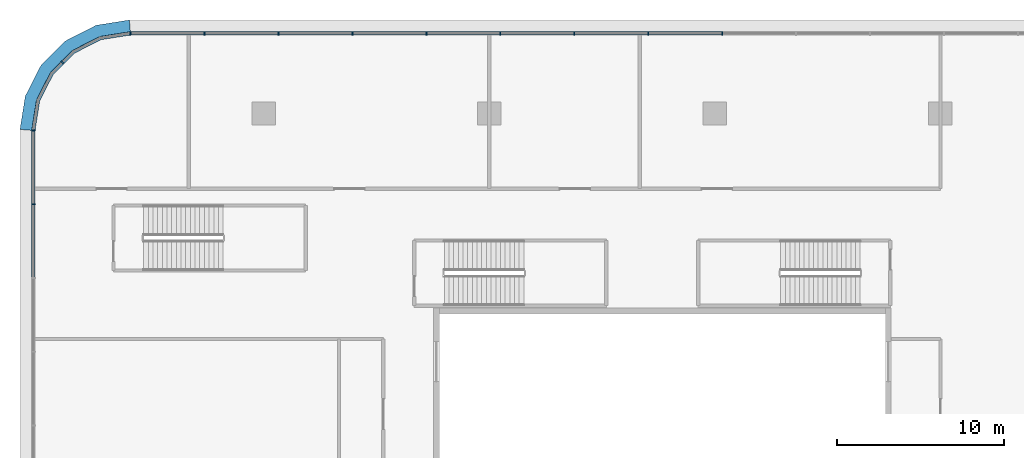
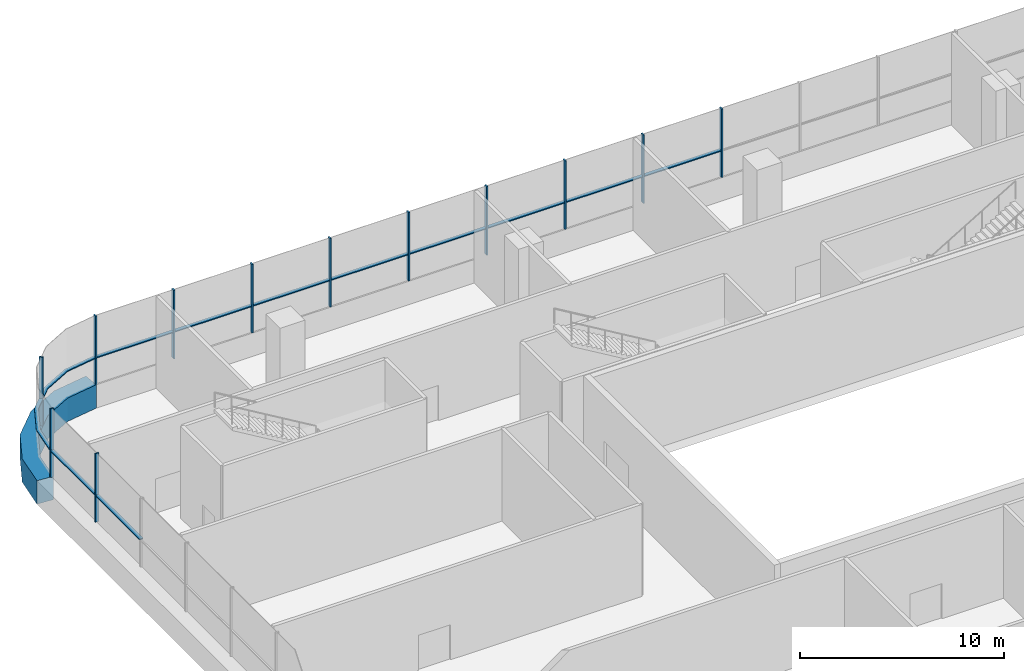
# One storey, part 13 of 52: 25 members, 3 elements without a shape of their own.
"""IFC4 building model written with IfcOpenShell, lengths in metres."""

from ifc_helpers import new_model, si_unit, direction, frame, origin, origin_2d, place, context, subcontext, project, spatial, polyline, rectangle, outline, extrude, material, layer, layer_set, material_profile, profile_set, type_object, element, aggregate, save


model = new_model("IFC4")

# Units and contexts
model_context = context("Model", 3, precision=1e-05, world=origin(), true_north=direction((0.0, 1.0)))
body_context = subcontext(model_context, "Body", "Model", "MODEL_VIEW")
ifc_project = project(units=[si_unit("LENGTHUNIT", "METRE"), si_unit("AREAUNIT", "SQUARE_METRE"), si_unit("VOLUMEUNIT", "CUBIC_METRE"), si_unit("PLANEANGLEUNIT", "RADIAN"), si_unit("MASSUNIT", "GRAM", prefix="KILO")], contexts=[model_context])

# Site, building, storey
site_placement = place(None, origin())
site = spatial("IfcSite", under=ifc_project, at=site_placement, CompositionType="ELEMENT")
building_placement = place(site_placement, origin())
building = spatial("IfcBuilding", under=site, at=building_placement, Name="Tamarind Cross Interchange Tower", CompositionType="ELEMENT")
storey_placement = place(building_placement, frame((0.0, 0.0, 9.0)))
storey = spatial("IfcBuildingStorey", under=building, at=storey_placement, Name="L01", CompositionType="ELEMENT", Elevation=9.0)

# Curtain wall, member
ifc_material_1 = material(Name="Aluminium 6063-T6", Category="aluminium")
ifc_layer = layer(ifc_material_1, 0.199951171875)
ifc_layer_set = layer_set([ifc_layer], Name="Aluminium 6063-T6")
curtain_wall_type = type_object("IfcCurtainWallType", Name="Podium shopfront and station curtain wall", PredefinedType="NOTDEFINED", material=ifc_layer_set)
curtain_wall_1_placement = place(storey_placement, origin())
curtain_wall_1 = element("IfcCurtainWall", 1, at=curtain_wall_1_placement, inside=storey, type_object=curtain_wall_type, Name="CWS-L01-03", PredefinedType="NOTDEFINED")
ifc_material_2 = material(Name="Aluminium and insulated spandrel panel", Category="aluminium")
member_type_1 = type_object("IfcMemberType", Name="Floor-edge blade transom", PredefinedType="USERDEFINED", material=ifc_material_2)
member_1_placement = place(storey_placement, origin())
member_1 = element("IfcMember", 2, at=member_1_placement, type_object=member_type_1, Name="CWT-L01-03", ObjectType="TRANSOM", PredefinedType="USERDEFINED", context=body_context, shape_type="SweptSolid", body=[
    extrude(outline(polyline([(-61.976318359375, 58.699951171875), (-63.76025390625, 58.41748046875), (-65.34814453125, 57.6083984375), (-66.6083984375, 56.34814453125), (-67.41748046875, 54.76025390625), (-67.699951171875, 52.976318359375), (-68.60009765625, 53.047119140625), (-68.2841796875, 55.041748046875), (-67.345458984375, 56.8837890625), (-65.8837890625, 58.345458984375), (-64.041748046875, 59.2841796875), (-62.047119140625, 59.60009765625), (-61.976318359375, 58.699951171875)])), origin(), (0.0, 0.0, 1.0), 1.39990234375),
])

# Curtain wall, members
curtain_wall_2_placement = place(storey_placement, origin())
curtain_wall_2 = element("IfcCurtainWall", 3, at=curtain_wall_2_placement, inside=storey, type_object=curtain_wall_type, Name="CWS-L01-02", PredefinedType="NOTDEFINED")
ifc_material_profile = material_profile(ifc_material_1, rectangle(XDim=0.080078125, YDim=0.199951171875, at=origin_2d()), Name="Mullion CW3")
ifc_profile_set = profile_set([ifc_material_profile], Name="Aluminium 6063-T6")
member_type_2 = type_object("IfcMemberType", Name="Mullion CW3", PredefinedType="MULLION", material=ifc_profile_set)
member_2_placement = place(storey_placement, frame((-26.564697265625, 58.800048828125, 1.39990234375), z_axis=(0.0, 0.0, 1.0), x_axis=(-1.0, 0.0, 0.0)))
member_2 = element("IfcMember", 4, at=member_2_placement, type_object=member_type_2, Name="CWM-L01-02-20", PredefinedType="MULLION", context=body_context, shape_type="SweptSolid", body=[
    extrude(rectangle(XDim=0.080078125, YDim=0.199951171875, at=origin_2d()), origin(), (0.0, 0.0, 1.0), 4.10009765625),
])
member_3_placement = place(storey_placement, frame((-30.9921875, 58.800048828125, 1.39990234375), z_axis=(0.0, 0.0, 1.0), x_axis=(-1.0, 0.0, 0.0)))
member_3 = element("IfcMember", 5, at=member_3_placement, type_object=member_type_2, Name="CWM-L01-02-21", PredefinedType="MULLION", context=body_context, shape_type="SweptSolid", body=[
    extrude(rectangle(XDim=0.080078125, YDim=0.199951171875, at=origin_2d()), origin(), (0.0, 0.0, 1.0), 4.10009765625),
])
member_4_placement = place(storey_placement, frame((-35.419677734375, 58.800048828125, 1.39990234375), z_axis=(0.0, 0.0, 1.0), x_axis=(-1.0, 0.0, 0.0)))
member_4 = element("IfcMember", 6, at=member_4_placement, type_object=member_type_2, Name="CWM-L01-02-22", PredefinedType="MULLION", context=body_context, shape_type="SweptSolid", body=[
    extrude(rectangle(XDim=0.080078125, YDim=0.199951171875, at=origin_2d()), origin(), (0.0, 0.0, 1.0), 4.10009765625),
])
member_5_placement = place(storey_placement, frame((-39.846923828125, 58.800048828125, 1.39990234375), z_axis=(0.0, 0.0, 1.0), x_axis=(-1.0, 0.0, 0.0)))
member_5 = element("IfcMember", 7, at=member_5_placement, type_object=member_type_2, Name="CWM-L01-02-23", PredefinedType="MULLION", context=body_context, shape_type="SweptSolid", body=[
    extrude(rectangle(XDim=0.080078125, YDim=0.199951171875, at=origin_2d()), origin(), (0.0, 0.0, 1.0), 4.10009765625),
])
member_6_placement = place(storey_placement, frame((-44.2744140625, 58.800048828125, 1.39990234375), z_axis=(0.0, 0.0, 1.0), x_axis=(-1.0, 0.0, 0.0)))
member_6 = element("IfcMember", 8, at=member_6_placement, type_object=member_type_2, Name="CWM-L01-02-24", PredefinedType="MULLION", context=body_context, shape_type="SweptSolid", body=[
    extrude(rectangle(XDim=0.080078125, YDim=0.199951171875, at=origin_2d()), origin(), (0.0, 0.0, 1.0), 4.10009765625),
])
member_7_placement = place(storey_placement, frame((-48.701904296875, 58.800048828125, 1.39990234375), z_axis=(0.0, 0.0, 1.0), x_axis=(-1.0, 0.0, 0.0)))
member_7 = element("IfcMember", 9, at=member_7_placement, type_object=member_type_2, Name="CWM-L01-02-25", PredefinedType="MULLION", context=body_context, shape_type="SweptSolid", body=[
    extrude(rectangle(XDim=0.080078125, YDim=0.199951171875, at=origin_2d()), origin(), (0.0, 0.0, 1.0), 4.10009765625),
])
member_8_placement = place(storey_placement, frame((-53.12939453125, 58.800048828125, 1.39990234375), z_axis=(0.0, 0.0, 1.0), x_axis=(-1.0, 0.0, 0.0)))
member_8 = element("IfcMember", 10, at=member_8_placement, type_object=member_type_2, Name="CWM-L01-02-26", PredefinedType="MULLION", context=body_context, shape_type="SweptSolid", body=[
    extrude(rectangle(XDim=0.080078125, YDim=0.199951171875, at=origin_2d()), origin(), (0.0, 0.0, 1.0), 4.10009765625),
])
member_9_placement = place(storey_placement, frame((-57.556884765625, 58.800048828125, 1.39990234375), z_axis=(0.0, 0.0, 1.0), x_axis=(-1.0, 0.0, 0.0)))
member_9 = element("IfcMember", 11, at=member_9_placement, type_object=member_type_2, Name="CWM-L01-02-27", PredefinedType="MULLION", context=body_context, shape_type="SweptSolid", body=[
    extrude(rectangle(XDim=0.080078125, YDim=0.199951171875, at=origin_2d()), origin(), (0.0, 0.0, 1.0), 4.10009765625),
])

# Member
member_10_placement = place(storey_placement, frame((-61.984375, 58.800048828125, 1.39990234375), z_axis=(0.0, 0.0, 1.0), x_axis=(-0.996917333733, -0.078459095728, 0.0)))
member_10 = element("IfcMember", 12, at=member_10_placement, type_object=member_type_2, Name="CWM-L01-03-00", PredefinedType="MULLION", context=body_context, shape_type="SweptSolid", body=[
    extrude(rectangle(XDim=0.080078125, YDim=0.199951171875, at=origin_2d()), origin(), (0.0, 0.0, 1.0), 4.10009765625),
])

member_11_placement = place(storey_placement, frame((-66.049072265625, 57.049072265625, 1.39990234375), z_axis=(0.0, 0.0, 1.0), x_axis=(-0.707106781187, -0.707106781187, 0.0)))
member_11 = element("IfcMember", 13, at=member_11_placement, type_object=member_type_2, Name="CWM-L01-03-01", PredefinedType="MULLION", context=body_context, shape_type="SweptSolid", body=[
    extrude(rectangle(XDim=0.080078125, YDim=0.199951171875, at=origin_2d()), origin(), (0.0, 0.0, 1.0), 4.10009765625),
])

# Curtain wall, members
curtain_wall_3_placement = place(storey_placement, origin())
curtain_wall_3 = element("IfcCurtainWall", 14, at=curtain_wall_3_placement, inside=storey, type_object=curtain_wall_type, Name="CWS-L01-04", PredefinedType="NOTDEFINED")
member_12_placement = place(storey_placement, frame((-67.800048828125, 52.984375, 1.39990234375), z_axis=(0.0, 0.0, 1.0), x_axis=(-0.078459095728, -0.996917333733, 0.0)))
member_12 = element("IfcMember", 15, at=member_12_placement, type_object=member_type_2, Name="CWM-L01-04-00", PredefinedType="MULLION", context=body_context, shape_type="SweptSolid", body=[
    extrude(rectangle(XDim=0.080078125, YDim=0.199951171875, at=origin_2d()), origin(), (0.0, 0.0, 1.0), 4.10009765625),
])
member_13_placement = place(storey_placement, frame((-67.800048828125, 48.56884765625, 1.39990234375), z_axis=(0.0, 0.0, 1.0), x_axis=(0.0, -1.0, 0.0)))
member_13 = element("IfcMember", 16, at=member_13_placement, type_object=member_type_2, Name="CWM-L01-04-01", PredefinedType="MULLION", context=body_context, shape_type="SweptSolid", body=[
    extrude(rectangle(XDim=0.080078125, YDim=0.199951171875, at=origin_2d()), origin(), (0.0, 0.0, 1.0), 4.10009765625),
])

# Member
member_type_3 = type_object("IfcMemberType", Name="Podium intermediate transom", PredefinedType="USERDEFINED", material=ifc_material_1)
member_14_placement = place(storey_placement, frame((0.0, 0.0, 2.969970703125)))
member_14 = element("IfcMember", 17, at=member_14_placement, type_object=member_type_3, Name="CWT-L01-02-I0-20", ObjectType="TRANSOM", PredefinedType="USERDEFINED", context=body_context, shape_type="SweptSolid", body=[
    extrude(outline(polyline([(-26.604736328125, 58.699951171875), (-30.9521484375, 58.699951171875), (-30.9521484375, 58.89990234375), (-26.604736328125, 58.89990234375), (-26.604736328125, 58.699951171875)])), origin(), (0.0, 0.0, 1.0), 0.06005859375),
])

member_15_placement = place(storey_placement, frame((0.0, 0.0, 2.969970703125)))
member_15 = element("IfcMember", 18, at=member_15_placement, type_object=member_type_3, Name="CWT-L01-02-I0-21", ObjectType="TRANSOM", PredefinedType="USERDEFINED", context=body_context, shape_type="SweptSolid", body=[
    extrude(outline(polyline([(-31.0322265625, 58.699951171875), (-35.379638671875, 58.699951171875), (-35.379638671875, 58.89990234375), (-31.0322265625, 58.89990234375), (-31.0322265625, 58.699951171875)])), origin(), (0.0, 0.0, 1.0), 0.06005859375),
])

member_16_placement = place(storey_placement, frame((0.0, 0.0, 2.969970703125)))
member_16 = element("IfcMember", 19, at=member_16_placement, type_object=member_type_3, Name="CWT-L01-02-I0-22", ObjectType="TRANSOM", PredefinedType="USERDEFINED", context=body_context, shape_type="SweptSolid", body=[
    extrude(outline(polyline([(-35.45947265625, 58.699951171875), (-39.80712890625, 58.699951171875), (-39.80712890625, 58.89990234375), (-35.45947265625, 58.89990234375), (-35.45947265625, 58.699951171875)])), origin(), (0.0, 0.0, 1.0), 0.06005859375),
])

member_17_placement = place(storey_placement, frame((0.0, 0.0, 2.969970703125)))
member_17 = element("IfcMember", 20, at=member_17_placement, type_object=member_type_3, Name="CWT-L01-02-I0-23", ObjectType="TRANSOM", PredefinedType="USERDEFINED", context=body_context, shape_type="SweptSolid", body=[
    extrude(outline(polyline([(-39.886962890625, 58.699951171875), (-44.234375, 58.699951171875), (-44.234375, 58.89990234375), (-39.886962890625, 58.89990234375), (-39.886962890625, 58.699951171875)])), origin(), (0.0, 0.0, 1.0), 0.06005859375),
])

member_18_placement = place(storey_placement, frame((0.0, 0.0, 2.969970703125)))
member_18 = element("IfcMember", 21, at=member_18_placement, type_object=member_type_3, Name="CWT-L01-02-I0-24", ObjectType="TRANSOM", PredefinedType="USERDEFINED", context=body_context, shape_type="SweptSolid", body=[
    extrude(outline(polyline([(-44.314453125, 58.699951171875), (-48.661865234375, 58.699951171875), (-48.661865234375, 58.89990234375), (-44.314453125, 58.89990234375), (-44.314453125, 58.699951171875)])), origin(), (0.0, 0.0, 1.0), 0.06005859375),
])

member_19_placement = place(storey_placement, frame((0.0, 0.0, 2.969970703125)))
member_19 = element("IfcMember", 22, at=member_19_placement, type_object=member_type_3, Name="CWT-L01-02-I0-25", ObjectType="TRANSOM", PredefinedType="USERDEFINED", context=body_context, shape_type="SweptSolid", body=[
    extrude(outline(polyline([(-48.741943359375, 58.699951171875), (-53.08935546875, 58.699951171875), (-53.08935546875, 58.89990234375), (-48.741943359375, 58.89990234375), (-48.741943359375, 58.699951171875)])), origin(), (0.0, 0.0, 1.0), 0.06005859375),
])

member_20_placement = place(storey_placement, frame((0.0, 0.0, 2.969970703125)))
member_20 = element("IfcMember", 23, at=member_20_placement, type_object=member_type_3, Name="CWT-L01-02-I0-26", ObjectType="TRANSOM", PredefinedType="USERDEFINED", context=body_context, shape_type="SweptSolid", body=[
    extrude(outline(polyline([(-53.16943359375, 58.699951171875), (-57.516845703125, 58.699951171875), (-57.516845703125, 58.89990234375), (-53.16943359375, 58.89990234375), (-53.16943359375, 58.699951171875)])), origin(), (0.0, 0.0, 1.0), 0.06005859375),
])

member_21_placement = place(storey_placement, frame((0.0, 0.0, 2.969970703125)))
member_21 = element("IfcMember", 24, at=member_21_placement, type_object=member_type_3, Name="CWT-L01-02-I0-27", ObjectType="TRANSOM", PredefinedType="USERDEFINED", context=body_context, shape_type="SweptSolid", body=[
    extrude(outline(polyline([(-57.596923828125, 58.699951171875), (-61.9443359375, 58.699951171875), (-61.9443359375, 58.89990234375), (-57.596923828125, 58.89990234375), (-57.596923828125, 58.699951171875)])), origin(), (0.0, 0.0, 1.0), 0.06005859375),
])

aggregate(curtain_wall_2, [member_2, member_3, member_4, member_5, member_6, member_7, member_8, member_9, member_14, member_15, member_16, member_17, member_18, member_19, member_20, member_21])

member_22_placement = place(storey_placement, frame((0.0, 0.0, 2.969970703125)))
member_22 = element("IfcMember", 25, at=member_22_placement, type_object=member_type_3, Name="CWT-L01-03-I0-00", ObjectType="TRANSOM", PredefinedType="USERDEFINED", context=body_context, shape_type="SweptSolid", body=[
    extrude(outline(polyline([(-62.008056640625, 58.695068359375), (-63.76025390625, 58.41748046875), (-65.34814453125, 57.6083984375), (-65.949951171875, 57.006591796875), (-66.09130859375, 57.14794921875), (-65.46728515625, 57.772216796875), (-63.82275390625, 58.610107421875), (-62.039306640625, 58.892578125), (-62.008056640625, 58.695068359375)])), origin(), (0.0, 0.0, 1.0), 0.06005859375),
])

member_23_placement = place(storey_placement, frame((0.0, 0.0, 2.969970703125)))
member_23 = element("IfcMember", 26, at=member_23_placement, type_object=member_type_3, Name="CWT-L01-03-I0-01", ObjectType="TRANSOM", PredefinedType="USERDEFINED", context=body_context, shape_type="SweptSolid", body=[
    extrude(outline(polyline([(-66.006591796875, 56.949951171875), (-66.6083984375, 56.34814453125), (-67.41748046875, 54.76025390625), (-67.695068359375, 53.008056640625), (-67.892578125, 53.039306640625), (-67.610107421875, 54.82275390625), (-66.772216796875, 56.46728515625), (-66.14794921875, 57.09130859375), (-66.006591796875, 56.949951171875)])), origin(), (0.0, 0.0, 1.0), 0.06005859375),
])

aggregate(curtain_wall_1, [member_10, member_11, member_22, member_23, member_1])

member_24_placement = place(storey_placement, frame((0.0, 0.0, 2.969970703125)))
member_24 = element("IfcMember", 27, at=member_24_placement, type_object=member_type_3, Name="CWT-L01-04-I0-00", ObjectType="TRANSOM", PredefinedType="USERDEFINED", context=body_context, shape_type="SweptSolid", body=[
    extrude(outline(polyline([(-67.699951171875, 52.9443359375), (-67.699951171875, 48.60888671875), (-67.89990234375, 48.60888671875), (-67.89990234375, 52.9443359375), (-67.699951171875, 52.9443359375)])), origin(), (0.0, 0.0, 1.0), 0.06005859375),
])

member_25_placement = place(storey_placement, frame((0.0, 0.0, 2.969970703125)))
member_25 = element("IfcMember", 28, at=member_25_placement, type_object=member_type_3, Name="CWT-L01-04-I0-01", ObjectType="TRANSOM", PredefinedType="USERDEFINED", context=body_context, shape_type="SweptSolid", body=[
    extrude(outline(polyline([(-67.699951171875, 48.52880859375), (-67.699951171875, 44.193603515625), (-67.89990234375, 44.193603515625), (-67.89990234375, 48.52880859375), (-67.699951171875, 48.52880859375)])), origin(), (0.0, 0.0, 1.0), 0.06005859375),
])

aggregate(curtain_wall_3, [member_12, member_13, member_24, member_25])

save(model, "model.ifc")
